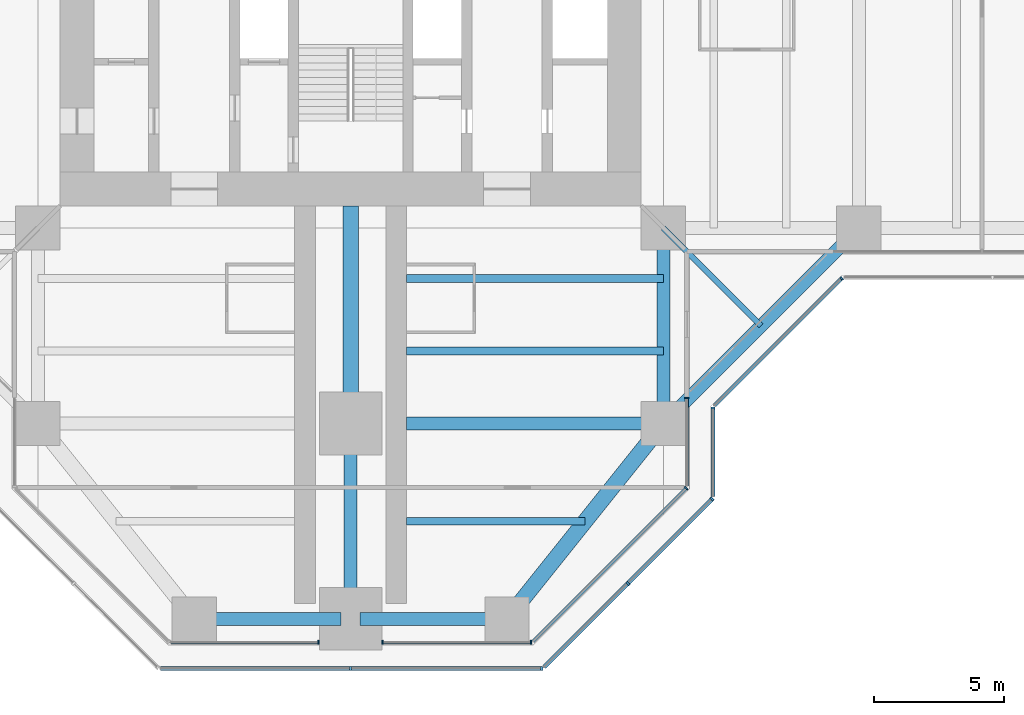
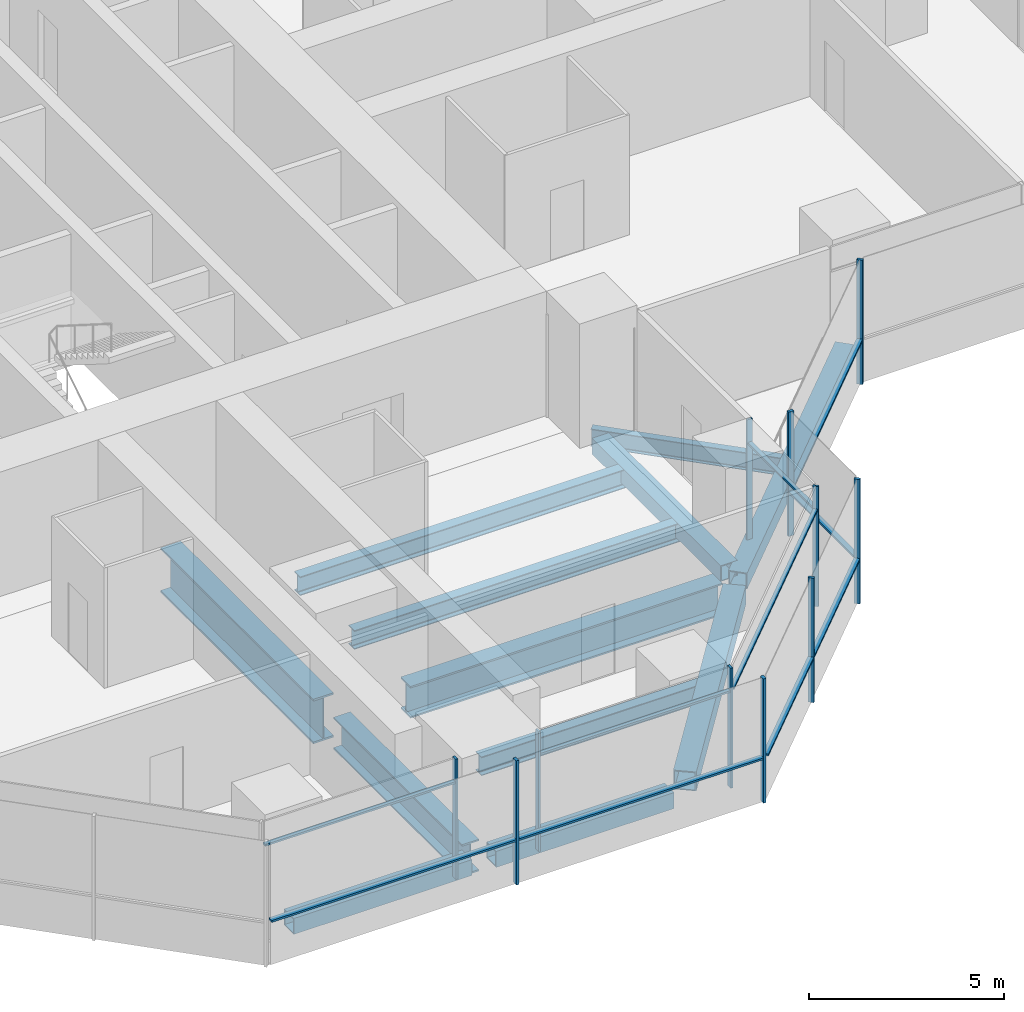
# One storey, part 4 of 19: 21 members, 12 beams, 8 elements without a shape of their own.
"""IFC4 building model written with IfcOpenShell, lengths in metres."""

from ifc_helpers import new_model, si_unit, direction, frame, origin, origin_2d, place, context, subcontext, project, spatial, rectangle, hollow_rectangle, i_section, extrude, material, material_profile, profile_set, type_object, element, aggregate, save


model = new_model("IFC4")

# Units and contexts
model_context = context("Model", 3, precision=1e-05, world=origin(), true_north=direction((0.0, 1.0)))
body_context = subcontext(model_context, "Body", "Model", "MODEL_VIEW")
ifc_project = project(units=[si_unit("LENGTHUNIT", "METRE"), si_unit("AREAUNIT", "SQUARE_METRE"), si_unit("VOLUMEUNIT", "CUBIC_METRE"), si_unit("PLANEANGLEUNIT", "RADIAN"), si_unit("MASSUNIT", "GRAM", prefix="KILO")], contexts=[model_context])

# Site, building, storey
site_placement = place(None, origin())
site = spatial("IfcSite", under=ifc_project, at=site_placement, CompositionType="ELEMENT")
building_placement = place(site_placement, origin())
building = spatial("IfcBuilding", under=site, at=building_placement, Name="Mizan Broadcast Tower", CompositionType="ELEMENT")
storey_placement = place(building_placement, frame((0.0, 0.0, 182.699951171875)))
storey = spatial("IfcBuildingStorey", under=building, at=storey_placement, Name="L42", CompositionType="ELEMENT", Elevation=182.699951171875)

# Beams
ifc_material_1 = material(Name="Steel S355", Category="steel")
ifc_material_profile_1 = material_profile(ifc_material_1, hollow_rectangle(XDim=0.5, YDim=0.5, WallThickness=0.030029296875, at=origin_2d()), Name="BOX 500x500x30")
ifc_profile_set_1 = profile_set([ifc_material_profile_1], Name="Steel S355")
beam_type_1 = type_object("IfcBeamType", Name="EDGE BEAM BOX 500x500x30", PredefinedType="SPANDREL", material=ifc_profile_set_1)
beam_1_placement = place(storey_placement, frame((-5.639892578125, -27.0, -0.3798828125), z_axis=(1.0, 0.0, 0.0), x_axis=(0.0, 1.0, 0.0)))
element("IfcBeam", 1, at=beam_1_placement, inside=storey, type_object=beam_type_1, Name="Edge beam BOX 500x500x30 L42 south arm", PredefinedType="SPANDREL", context=body_context, shape_type="SweptSolid", body=[
    extrude(hollow_rectangle(XDim=0.5, YDim=0.5, WallThickness=0.030029296875, at=origin_2d()), origin(), (0.0, 0.0, 1.0), 5.27978515625),
])
beam_2_placement = place(storey_placement, frame((12.0, -12.449951171875, -0.3798828125), z_axis=(0.0, -1.0, 0.0), x_axis=(1.0, 0.0, 0.0)))
element("IfcBeam", 2, at=beam_2_placement, inside=storey, type_object=beam_type_1, Name="Edge beam BOX 500x500x30 L42 south arm", PredefinedType="SPANDREL", context=body_context, shape_type="SweptSolid", body=[
    extrude(hollow_rectangle(XDim=0.5, YDim=0.5, WallThickness=0.030029296875, at=origin_2d()), origin(), (0.0, 0.0, 1.0), 6.60009765625),
])
beam_3_placement = place(storey_placement, frame((5.639892578125, -27.0, -0.3798828125), z_axis=(-1.0, 0.0, 0.0), x_axis=(0.0, -1.0, 0.0)))
element("IfcBeam", 3, at=beam_3_placement, inside=storey, type_object=beam_type_1, Name="Edge beam BOX 500x500x30 L42 south arm", PredefinedType="SPANDREL", context=body_context, shape_type="SweptSolid", body=[
    extrude(hollow_rectangle(XDim=0.5, YDim=0.5, WallThickness=0.030029296875, at=origin_2d()), origin(), (0.0, 0.0, 1.0), 5.27978515625),
])
beam_4_placement = place(storey_placement, frame((12.0, -19.5, -0.3798828125), z_axis=(0.707106781187, 0.707106781187, 0.0), x_axis=(-0.707106781187, 0.707106781187, 0.0)))
element("IfcBeam", 4, at=beam_4_placement, inside=storey, type_object=beam_type_1, Name="Winter garden edge beam L42 S", PredefinedType="SPANDREL", context=body_context, shape_type="SweptSolid", body=[
    extrude(hollow_rectangle(XDim=0.5, YDim=0.5, WallThickness=0.030029296875, at=origin_2d()), origin(), (0.0, 0.0, 1.0), 10.606689453125),
])
ifc_material_2 = material(Name="Steel S355", Category="steel")
ifc_material_profile_2 = material_profile(ifc_material_2, hollow_rectangle(XDim=0.60009765625, YDim=0.60009765625, WallThickness=0.030029296875, at=origin_2d()), Name="BOX 600x600x30")
ifc_profile_set_2 = profile_set([ifc_material_profile_2], Name="Steel S355")
beam_type_2 = type_object("IfcBeamType", Name="EDGE BEAM BOX 600x600x30", PredefinedType="SPANDREL", material=ifc_profile_set_2)
beam_5_placement = place(storey_placement, frame((11.639892578125, -19.949951171875, -0.429931640625), z_axis=(-0.624673911726, -0.780885717636, 0.0), x_axis=(0.780885717636, -0.624673911726, 0.0)))
element("IfcBeam", 5, at=beam_5_placement, inside=storey, type_object=beam_type_2, Name="Edge beam BOX 600x600x30 L42 south arm", PredefinedType="SPANDREL", context=body_context, shape_type="SweptSolid", body=[
    extrude(hollow_rectangle(XDim=0.60009765625, YDim=0.60009765625, WallThickness=0.030029296875, at=origin_2d()), origin(), (0.0, 0.0, 1.0), 8.4521484375),
])
ifc_material_3 = material(Name="Steel S460", Category="steel")
ifc_material_profile_3 = material_profile(ifc_material_3, i_section(OverallWidth=0.5, OverallDepth=1.0, WebThickness=0.02490234375, FlangeThickness=0.050048828125, at=origin_2d()), Name="WPG 1000x500")
ifc_profile_set_3 = profile_set([ifc_material_profile_3], Name="Steel S460")
beam_type_3 = type_object("IfcBeamType", Name="GIRDER WPG 1000x500", PredefinedType="BEAM", material=ifc_profile_set_3)
beam_6_placement = place(storey_placement, frame((0.0, -19.949951171875, -0.6298828125), z_axis=(0.0, -1.0, 0.0), x_axis=(1.0, 0.0, 0.0)))
element("IfcBeam", 6, at=beam_6_placement, inside=storey, type_object=beam_type_3, Name="Girder WPG 1000x500 L42 south arm", PredefinedType="BEAM", context=body_context, shape_type="SweptSolid", body=[
    extrude(i_section(OverallWidth=0.5, OverallDepth=1.0, WebThickness=0.02490234375, FlangeThickness=0.050048828125, at=origin_2d()), origin(), (0.0, 0.0, 1.0), 6.60009765625),
])
beam_7_placement = place(storey_placement, frame((11.408935546875, -19.5, -0.6298828125), z_axis=(-1.0, 0.0, 0.0), x_axis=(0.0, -1.0, 0.0)))
element("IfcBeam", 7, at=beam_7_placement, inside=storey, type_object=beam_type_3, Name="Girder WPG 1000x500 L42 south arm", PredefinedType="BEAM", context=body_context, shape_type="SweptSolid", body=[
    extrude(i_section(OverallWidth=0.5, OverallDepth=1.0, WebThickness=0.02490234375, FlangeThickness=0.050048828125, at=origin_2d()), origin(), (0.0, 0.0, 1.0), 9.259033203125),
])
ifc_material_4 = material(Name="Steel S460", Category="steel")
ifc_material_profile_4 = material_profile(ifc_material_4, i_section(OverallWidth=0.60009765625, OverallDepth=1.39990234375, WebThickness=0.02490234375, FlangeThickness=0.06005859375, at=origin_2d()), Name="WPG 1400x600")
ifc_profile_set_4 = profile_set([ifc_material_profile_4], Name="Steel S460")
beam_type_4 = type_object("IfcBeamType", Name="GIRDER WPG 1400x600", PredefinedType="BEAM", material=ifc_profile_set_4)
beam_8_placement = place(storey_placement, frame((0.0, -11.14990234375, -0.829833984375), z_axis=(0.0, -1.0, 0.0), x_axis=(1.0, 0.0, 0.0)))
element("IfcBeam", 8, at=beam_8_placement, inside=storey, type_object=beam_type_4, Name="Girder WPG 1400x600 L42 south arm", PredefinedType="BEAM", context=body_context, shape_type="SweptSolid", body=[
    extrude(i_section(OverallWidth=0.60009765625, OverallDepth=1.39990234375, WebThickness=0.02490234375, FlangeThickness=0.06005859375, at=origin_2d()), origin(), (0.0, 0.0, 1.0), 7.84912109375),
])

# Curtain wall, member
ifc_material_5 = material(Name="Aluminium framed glazing", Category="aluminium")
curtain_wall_type_1 = type_object("IfcCurtainWallType", Name="INNER SKIN MID ZONE", PredefinedType="USERDEFINED", material=ifc_material_5)
curtain_wall_1_placement = place(storey_placement, origin())
curtain_wall_1 = element("IfcCurtainWall", 9, at=curtain_wall_1_placement, inside=storey, type_object=curtain_wall_type_1, Name="Inner skin mid zone L42 S end", ObjectType="INNER SKIN MID ZONE", PredefinedType="USERDEFINED")
ifc_material_6 = material(Name="Aluminium, pale anodised", Category="aluminium")
ifc_material_profile_5 = material_profile(ifc_material_6, rectangle(XDim=0.159912109375, YDim=0.06005859375, at=origin_2d()), Name="MULLION 160x60")
ifc_profile_set_5 = profile_set([ifc_material_profile_5], Name="Aluminium, pale anodised")
member_type_1 = type_object("IfcMemberType", Name="INNER SKIN MULLION 60x160", PredefinedType="MULLION", material=ifc_profile_set_5)
member_1_placement = place(storey_placement, frame((-1.22998046875, -27.89990234375, 0.0), z_axis=(0.0, 0.0, 1.0), x_axis=(0.0, 1.0, 0.0)))
member_1 = element("IfcMember", 10, at=member_1_placement, type_object=member_type_1, Name="Inner skin mid zone L42 S end mullion 2", PredefinedType="MULLION", context=body_context, shape_type="SweptSolid", body=[
    extrude(rectangle(XDim=0.159912109375, YDim=0.06005859375, at=origin_2d()), origin(), (0.0, 0.0, 1.0), 3.77001953125),
])

# Curtain wall, members
curtain_wall_2_placement = place(storey_placement, origin())
curtain_wall_2 = element("IfcCurtainWall", 11, at=curtain_wall_2_placement, inside=storey, type_object=curtain_wall_type_1, Name="Inner skin mid zone L42 S end", ObjectType="INNER SKIN MID ZONE", PredefinedType="USERDEFINED")
member_2_placement = place(storey_placement, frame((1.22998046875, -27.89990234375, 0.0), z_axis=(0.0, 0.0, 1.0), x_axis=(0.0, 1.0, 0.0)))
member_2 = element("IfcMember", 12, at=member_2_placement, type_object=member_type_1, Name="Inner skin mid zone L42 S end mullion 1", PredefinedType="MULLION", context=body_context, shape_type="SweptSolid", body=[
    extrude(rectangle(XDim=0.159912109375, YDim=0.06005859375, at=origin_2d()), origin(), (0.0, 0.0, 1.0), 3.77001953125),
])
member_3_placement = place(storey_placement, frame((6.928466796875, -27.89990234375, 0.0), z_axis=(0.0, 0.0, 1.0), x_axis=(0.0, 1.0, 0.0)))
member_3 = element("IfcMember", 13, at=member_3_placement, type_object=member_type_1, Name="Inner skin mid zone L42 S end mullion 2", PredefinedType="MULLION", context=body_context, shape_type="SweptSolid", body=[
    extrude(rectangle(XDim=0.159912109375, YDim=0.06005859375, at=origin_2d()), origin(), (0.0, 0.0, 1.0), 3.77001953125),
])

# Curtain wall, member
curtain_wall_3_placement = place(storey_placement, origin())
curtain_wall_3 = element("IfcCurtainWall", 14, at=curtain_wall_3_placement, inside=storey, type_object=curtain_wall_type_1, Name="Inner skin mid zone L42 S chamfer", ObjectType="INNER SKIN MID ZONE", PredefinedType="USERDEFINED")
member_4_placement = place(storey_placement, frame((12.87890625, -21.979736328125, 0.0), z_axis=(0.0, 0.0, 1.0), x_axis=(-0.707106781187, 0.707106781187, 0.0)))
member_4 = element("IfcMember", 15, at=member_4_placement, type_object=member_type_1, Name="Inner skin mid zone L42 S chamfer mullion 2", PredefinedType="MULLION", context=body_context, shape_type="SweptSolid", body=[
    extrude(rectangle(XDim=0.159912109375, YDim=0.06005859375, at=origin_2d()), origin(), (0.0, 0.0, 1.0), 3.77001953125),
])

curtain_wall_4_placement = place(storey_placement, origin())
curtain_wall_4 = element("IfcCurtainWall", 16, at=curtain_wall_4_placement, inside=storey, type_object=curtain_wall_type_1, Name="Inner skin mid zone L42 S side", ObjectType="INNER SKIN MID ZONE", PredefinedType="USERDEFINED")
member_5_placement = place(storey_placement, frame((12.89990234375, -18.530029296875, 0.0), z_axis=(0.0, 0.0, 1.0), x_axis=(-1.0, 0.0, 0.0)))
member_5 = element("IfcMember", 17, at=member_5_placement, type_object=member_type_1, Name="Inner skin mid zone L42 S side mullion 2", PredefinedType="MULLION", context=body_context, shape_type="SweptSolid", body=[
    extrude(rectangle(XDim=0.159912109375, YDim=0.06005859375, at=origin_2d()), origin(), (0.0, 0.0, 1.0), 3.77001953125),
])

# Member
ifc_material_7 = material(Name="Aluminium, pale anodised", Category="aluminium")
ifc_material_profile_6 = material_profile(ifc_material_7, rectangle(XDim=0.1201171875, YDim=0.06005859375, at=origin_2d()), Name="TRANSOM 120x60")
ifc_profile_set_6 = profile_set([ifc_material_profile_6], Name="Aluminium, pale anodised")
member_type_2 = type_object("IfcMemberType", Name="INNER SKIN TRANSOM 60x120", PredefinedType="USERDEFINED", material=ifc_profile_set_6)
member_6_placement = place(storey_placement, frame((-6.898681640625, -27.89990234375, 3.030029296875), z_axis=(1.0, 0.0, 0.0), x_axis=(0.0, 1.0, 0.0)))
member_6 = element("IfcMember", 18, at=member_6_placement, type_object=member_type_2, Name="Inner skin mid zone L42 S end transom 1.1", ObjectType="TRANSOM", PredefinedType="USERDEFINED", context=body_context, shape_type="SweptSolid", body=[
    extrude(rectangle(XDim=0.1201171875, YDim=0.06005859375, at=origin_2d()), origin(), (0.0, 0.0, 1.0), 5.638671875),
])

aggregate(curtain_wall_1, [member_1, member_6])

member_7_placement = place(storey_placement, frame((1.260009765625, -27.89990234375, 3.030029296875), z_axis=(1.0, 0.0, 0.0), x_axis=(0.0, 1.0, 0.0)))
member_7 = element("IfcMember", 19, at=member_7_placement, type_object=member_type_2, Name="Inner skin mid zone L42 S end transom 1.1", ObjectType="TRANSOM", PredefinedType="USERDEFINED", context=body_context, shape_type="SweptSolid", body=[
    extrude(rectangle(XDim=0.1201171875, YDim=0.06005859375, at=origin_2d()), origin(), (0.0, 0.0, 1.0), 5.638671875),
])

aggregate(curtain_wall_2, [member_2, member_3, member_7])

member_8_placement = place(storey_placement, frame((7.0009765625, -27.857666015625, 3.030029296875), z_axis=(0.707106781187, 0.707106781187, 0.0), x_axis=(-0.707106781187, 0.707106781187, 0.0)))
member_8 = element("IfcMember", 20, at=member_8_placement, type_object=member_type_2, Name="Inner skin mid zone L42 S chamfer transom 1.1", ObjectType="TRANSOM", PredefinedType="USERDEFINED", context=body_context, shape_type="SweptSolid", body=[
    extrude(rectangle(XDim=0.1201171875, YDim=0.06005859375, at=origin_2d()), origin(), (0.0, 0.0, 1.0), 8.28271484375),
])

aggregate(curtain_wall_3, [member_4, member_8])

member_9_placement = place(storey_placement, frame((12.89990234375, -21.898681640625, 3.030029296875), z_axis=(0.0, 1.0, 0.0), x_axis=(-1.0, 0.0, 0.0)))
member_9 = element("IfcMember", 21, at=member_9_placement, type_object=member_type_2, Name="Inner skin mid zone L42 S side transom 1.1", ObjectType="TRANSOM", PredefinedType="USERDEFINED", context=body_context, shape_type="SweptSolid", body=[
    extrude(rectangle(XDim=0.1201171875, YDim=0.06005859375, at=origin_2d()), origin(), (0.0, 0.0, 1.0), 3.338623046875),
])

aggregate(curtain_wall_4, [member_5, member_9])

# Curtain wall, members
ifc_material_8 = material(Name="Aluminium framed glazing", Category="aluminium")
curtain_wall_type_2 = type_object("IfcCurtainWallType", Name="OUTER SKIN", PredefinedType="USERDEFINED", material=ifc_material_8)
curtain_wall_5_placement = place(storey_placement, origin())
curtain_wall_5 = element("IfcCurtainWall", 22, at=curtain_wall_5_placement, inside=storey, type_object=curtain_wall_type_2, Name="Outer skin L42 S end", ObjectType="OUTER SKIN", PredefinedType="USERDEFINED")
ifc_material_9 = material(Name="Aluminium, pale anodised", Category="aluminium")
ifc_material_profile_7 = material_profile(ifc_material_9, rectangle(XDim=0.159912109375, YDim=0.080078125, at=origin_2d()), Name="MULLION 160x80")
ifc_profile_set_7 = profile_set([ifc_material_profile_7], Name="Aluminium, pale anodised")
member_type_3 = type_object("IfcMemberType", Name="OUTER SKIN MULLION 80x160", PredefinedType="MULLION", material=ifc_profile_set_7)
member_10_placement = place(storey_placement, frame((0.0, -28.89990234375, 0.0), z_axis=(0.0, 0.0, 1.0), x_axis=(0.0, 1.0, 0.0)))
member_10 = element("IfcMember", 23, at=member_10_placement, type_object=member_type_3, Name="Outer skin L42 S end mullion 2", PredefinedType="MULLION", context=body_context, shape_type="SweptSolid", body=[
    extrude(rectangle(XDim=0.159912109375, YDim=0.080078125, at=origin_2d()), origin(), (0.0, 0.0, 1.0), 3.900146484375),
])
member_11_placement = place(storey_placement, frame((7.332763671875, -28.89990234375, 0.0), z_axis=(0.0, 0.0, 1.0), x_axis=(0.0, 1.0, 0.0)))
member_11 = element("IfcMember", 24, at=member_11_placement, type_object=member_type_3, Name="Outer skin L42 S end mullion 3", PredefinedType="MULLION", context=body_context, shape_type="SweptSolid", body=[
    extrude(rectangle(XDim=0.159912109375, YDim=0.080078125, at=origin_2d()), origin(), (0.0, 0.0, 1.0), 3.900146484375),
])

curtain_wall_6_placement = place(storey_placement, origin())
curtain_wall_6 = element("IfcCurtainWall", 25, at=curtain_wall_6_placement, inside=storey, type_object=curtain_wall_type_2, Name="Outer skin L42 S chamfer", ObjectType="OUTER SKIN", PredefinedType="USERDEFINED")
member_12_placement = place(storey_placement, frame((10.636474609375, -25.636474609375, 0.0), z_axis=(0.0, 0.0, 1.0), x_axis=(-0.707106781187, 0.707106781187, 0.0)))
member_12 = element("IfcMember", 26, at=member_12_placement, type_object=member_type_3, Name="Outer skin L42 S chamfer mullion 2", PredefinedType="MULLION", context=body_context, shape_type="SweptSolid", body=[
    extrude(rectangle(XDim=0.159912109375, YDim=0.080078125, at=origin_2d()), origin(), (0.0, 0.0, 1.0), 3.900146484375),
])
member_13_placement = place(storey_placement, frame((13.871826171875, -22.401123046875, 0.0), z_axis=(0.0, 0.0, 1.0), x_axis=(-0.707106781187, 0.707106781187, 0.0)))
member_13 = element("IfcMember", 27, at=member_13_placement, type_object=member_type_3, Name="Outer skin L42 S chamfer mullion 3", PredefinedType="MULLION", context=body_context, shape_type="SweptSolid", body=[
    extrude(rectangle(XDim=0.159912109375, YDim=0.080078125, at=origin_2d()), origin(), (0.0, 0.0, 1.0), 3.900146484375),
])

# Curtain wall, member
curtain_wall_7_placement = place(storey_placement, origin())
curtain_wall_7 = element("IfcCurtainWall", 28, at=curtain_wall_7_placement, inside=storey, type_object=curtain_wall_type_2, Name="Outer skin L42 S side", ObjectType="OUTER SKIN", PredefinedType="USERDEFINED")
member_14_placement = place(storey_placement, frame((13.89990234375, -18.912841796875, 0.0), z_axis=(0.0, 0.0, 1.0), x_axis=(-1.0, 0.0, 0.0)))
member_14 = element("IfcMember", 29, at=member_14_placement, type_object=member_type_3, Name="Outer skin L42 S side mullion 2", PredefinedType="MULLION", context=body_context, shape_type="SweptSolid", body=[
    extrude(rectangle(XDim=0.159912109375, YDim=0.080078125, at=origin_2d()), origin(), (0.0, 0.0, 1.0), 3.900146484375),
])

curtain_wall_8_placement = place(storey_placement, origin())
curtain_wall_8 = element("IfcCurtainWall", 30, at=curtain_wall_8_placement, inside=storey, type_object=curtain_wall_type_2, Name="Outer skin L42 E chamfer", ObjectType="OUTER SKIN", PredefinedType="USERDEFINED")
member_15_placement = place(storey_placement, frame((18.844482421875, -13.92822265625, 0.0), z_axis=(0.0, 0.0, 1.0), x_axis=(-0.707106781187, 0.707106781187, 0.0)))
member_15 = element("IfcMember", 31, at=member_15_placement, type_object=member_type_3, Name="Outer skin L42 E chamfer mullion 2", PredefinedType="MULLION", context=body_context, shape_type="SweptSolid", body=[
    extrude(rectangle(XDim=0.159912109375, YDim=0.080078125, at=origin_2d()), origin(), (0.0, 0.0, 1.0), 3.900146484375),
])

# Member
ifc_material_10 = material(Name="Aluminium, pale anodised", Category="aluminium")
ifc_material_profile_8 = material_profile(ifc_material_10, rectangle(XDim=0.159912109375, YDim=0.06005859375, at=origin_2d()), Name="TRANSOM 160x60")
ifc_profile_set_8 = profile_set([ifc_material_profile_8], Name="Aluminium, pale anodised")
member_type_4 = type_object("IfcMemberType", Name="OUTER SKIN TRANSOM 60x160", PredefinedType="USERDEFINED", material=ifc_profile_set_8)
member_16_placement = place(storey_placement, frame((-7.292724609375, -28.89990234375, 1.400146484375), z_axis=(1.0, 0.0, 0.0), x_axis=(0.0, 1.0, 0.0)))
member_16 = element("IfcMember", 32, at=member_16_placement, type_object=member_type_4, Name="Outer skin L42 S end transom 1.1", ObjectType="TRANSOM", PredefinedType="USERDEFINED", context=body_context, shape_type="SweptSolid", body=[
    extrude(rectangle(XDim=0.159912109375, YDim=0.06005859375, at=origin_2d()), origin(), (0.0, 0.0, 1.0), 7.252685546875),
])

member_17_placement = place(storey_placement, frame((0.0400390625, -28.89990234375, 1.400146484375), z_axis=(1.0, 0.0, 0.0), x_axis=(0.0, 1.0, 0.0)))
member_17 = element("IfcMember", 33, at=member_17_placement, type_object=member_type_4, Name="Outer skin L42 S end transom 2.1", ObjectType="TRANSOM", PredefinedType="USERDEFINED", context=body_context, shape_type="SweptSolid", body=[
    extrude(rectangle(XDim=0.159912109375, YDim=0.06005859375, at=origin_2d()), origin(), (0.0, 0.0, 1.0), 7.252685546875),
])

aggregate(curtain_wall_5, [member_10, member_11, member_16, member_17])

member_18_placement = place(storey_placement, frame((7.429443359375, -28.843505859375, 1.400146484375), z_axis=(0.707106781187, 0.707106781187, 0.0), x_axis=(-0.707106781187, 0.707106781187, 0.0)))
member_18 = element("IfcMember", 34, at=member_18_placement, type_object=member_type_4, Name="Outer skin L42 S chamfer transom 1.1", ObjectType="TRANSOM", PredefinedType="USERDEFINED", context=body_context, shape_type="SweptSolid", body=[
    extrude(rectangle(XDim=0.159912109375, YDim=0.06005859375, at=origin_2d()), origin(), (0.0, 0.0, 1.0), 4.495361328125),
])

member_19_placement = place(storey_placement, frame((10.664794921875, -25.608154296875, 1.400146484375), z_axis=(0.707106781187, 0.707106781187, 0.0), x_axis=(-0.707106781187, 0.707106781187, 0.0)))
member_19 = element("IfcMember", 35, at=member_19_placement, type_object=member_type_4, Name="Outer skin L42 S chamfer transom 2.1", ObjectType="TRANSOM", PredefinedType="USERDEFINED", context=body_context, shape_type="SweptSolid", body=[
    extrude(rectangle(XDim=0.159912109375, YDim=0.06005859375, at=origin_2d()), origin(), (0.0, 0.0, 1.0), 4.495361328125),
])

aggregate(curtain_wall_6, [member_12, member_13, member_18, member_19])

member_20_placement = place(storey_placement, frame((13.89990234375, -22.292724609375, 1.400146484375), z_axis=(0.0, 1.0, 0.0), x_axis=(-1.0, 0.0, 0.0)))
member_20 = element("IfcMember", 36, at=member_20_placement, type_object=member_type_4, Name="Outer skin L42 S side transom 1.1", ObjectType="TRANSOM", PredefinedType="USERDEFINED", context=body_context, shape_type="SweptSolid", body=[
    extrude(rectangle(XDim=0.159912109375, YDim=0.06005859375, at=origin_2d()), origin(), (0.0, 0.0, 1.0), 3.33984375),
])

aggregate(curtain_wall_7, [member_14, member_20])

member_21_placement = place(storey_placement, frame((13.95654296875, -18.816162109375, 1.400146484375), z_axis=(0.707106781187, 0.707106781187, 0.0), x_axis=(-0.707106781187, 0.707106781187, 0.0)))
member_21 = element("IfcMember", 37, at=member_21_placement, type_object=member_type_4, Name="Outer skin L42 E chamfer transom 1.1", ObjectType="TRANSOM", PredefinedType="USERDEFINED", context=body_context, shape_type="SweptSolid", body=[
    extrude(rectangle(XDim=0.159912109375, YDim=0.06005859375, at=origin_2d()), origin(), (0.0, 0.0, 1.0), 6.87255859375),
])

aggregate(curtain_wall_8, [member_15, member_21])

# Beams
ifc_material_11 = material(Name="Steel S355", Category="steel")
ifc_material_profile_9 = material_profile(ifc_material_11, i_section(OverallWidth=0.300048828125, OverallDepth=0.590087890625, WebThickness=0.012939453125, FlangeThickness=0.02490234375, FilletRadius=0.027099609375, at=origin_2d()), Name="HEA 600")
ifc_profile_set_9 = profile_set([ifc_material_profile_9], Name="Steel S355")
beam_type_5 = type_object("IfcBeamType", Name="SECONDARY BEAM HEA 600", PredefinedType="JOIST", material=ifc_profile_set_9)
for number, where, z_axis, x_axis, name in (
    (38, (12.0, -13.933349609375, -0.425048828125), (-1.0, 0.0, 0.0), (0.0, -1.0, 0.0), "Secondary beam HEA 600 L42 south arm"),
    (39, (12.0, -16.716552734375, -0.425048828125), (-1.0, 0.0, 0.0), (0.0, -1.0, 0.0), "Secondary beam HEA 600 L42 south arm"),
):
    element("IfcBeam", number, at=place(storey_placement, frame(where, z_axis=z_axis, x_axis=x_axis)), inside=storey, type_object=beam_type_5, Name=name, PredefinedType="JOIST", context=body_context, shape_type="SweptSolid", body=[
        extrude(i_section(OverallWidth=0.300048828125, OverallDepth=0.590087890625, WebThickness=0.012939453125, FlangeThickness=0.02490234375, FilletRadius=0.027099609375, at=origin_2d()), origin(), (0.0, 0.0, 1.0), 9.85009765625),
    ])
beam_9_placement = place(storey_placement, frame((9.0, -23.25, -0.425048828125), z_axis=(-1.0, 0.0, 0.0), x_axis=(0.0, -1.0, 0.0)))
element("IfcBeam", 40, at=beam_9_placement, inside=storey, type_object=beam_type_5, Name="Secondary beam HEA 600 L42 south arm", PredefinedType="JOIST", context=body_context, shape_type="SweptSolid", body=[
    extrude(i_section(OverallWidth=0.300048828125, OverallDepth=0.590087890625, WebThickness=0.012939453125, FlangeThickness=0.02490234375, FilletRadius=0.027099609375, at=origin_2d()), origin(), (0.0, 0.0, 1.0), 6.85009765625),
])
ifc_material_12 = material(Name="Steel S355", Category="steel")
ifc_material_profile_10 = material_profile(ifc_material_12, i_section(OverallWidth=0.2099609375, OverallDepth=0.550048828125, WebThickness=0.010986328125, FlangeThickness=0.01708984375, FilletRadius=0.02392578125, at=origin_2d()), Name="IPE 550")
ifc_profile_set_10 = profile_set([ifc_material_profile_10], Name="Steel S355")
beam_type_6 = type_object("IfcBeamType", Name="SECONDARY BEAM IPE 550", PredefinedType="JOIST", material=ifc_profile_set_10)
beam_10_placement = place(storey_placement, frame((12.0, -12.0, -0.405029296875), z_axis=(0.707106781187, -0.707106781187, 0.0), x_axis=(0.707106781187, 0.707106781187, 0.0)))
element("IfcBeam", 41, at=beam_10_placement, inside=storey, type_object=beam_type_6, Name="Winter garden beam L42 S", PredefinedType="JOIST", context=body_context, shape_type="SweptSolid", body=[
    extrude(i_section(OverallWidth=0.2099609375, OverallDepth=0.550048828125, WebThickness=0.010986328125, FlangeThickness=0.01708984375, FilletRadius=0.02392578125, at=origin_2d()), origin(), (0.0, 0.0, 1.0), 5.30322265625),
])

save(model, "model.ifc")
